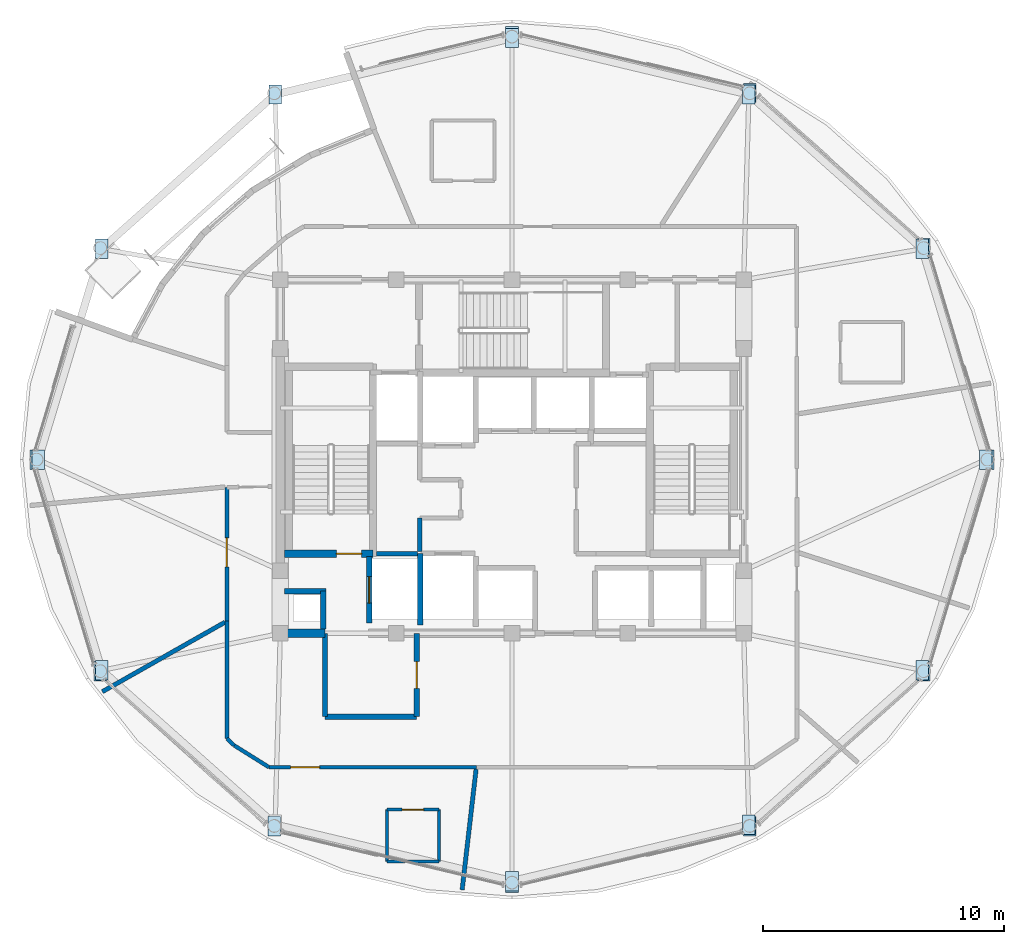
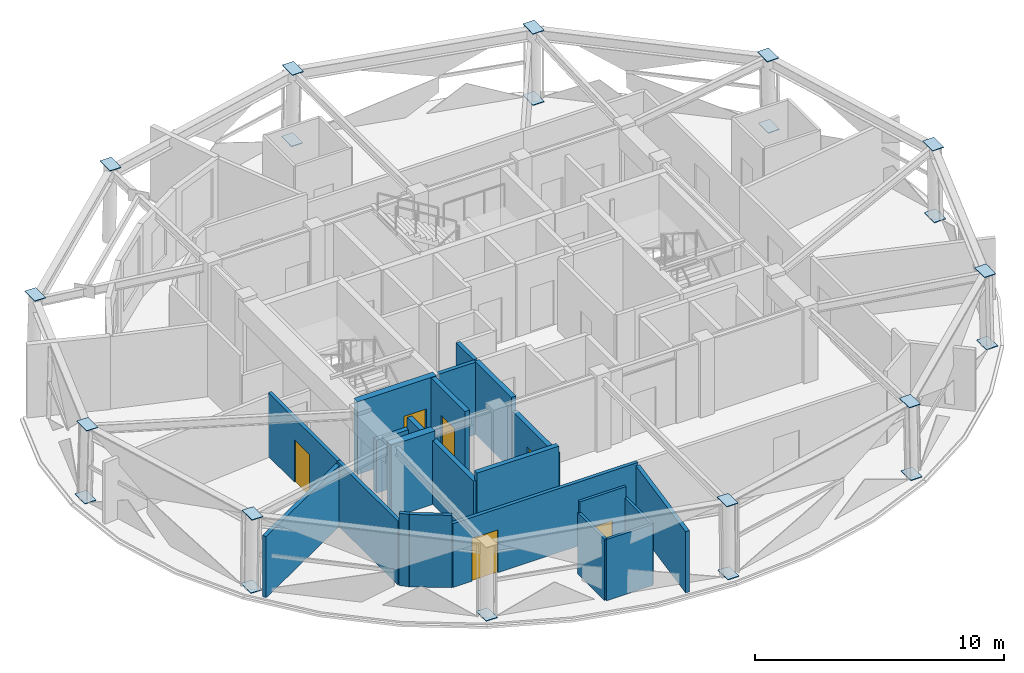
# One storey, part 7 of 14: 22 walls, 21 plates, 6 doors, 6 openings.
"""IFC4 building model written with IfcOpenShell, lengths in metres."""

from ifc_helpers import new_model, si_unit, direction, frame, frame_2d, origin, place, context, subcontext, project, spatial, polyline, rectangle, outline, extrude, material, layer, layer_set, type_object, element, fill, save


model = new_model("IFC4")

# Units and contexts
model_context = context("Model", 3, precision=1e-05, world=origin(), true_north=direction((0.0, 1.0)))
body_context = subcontext(model_context, "Body", "Model", "MODEL_VIEW")
ifc_project = project(units=[si_unit("LENGTHUNIT", "METRE"), si_unit("AREAUNIT", "SQUARE_METRE"), si_unit("VOLUMEUNIT", "CUBIC_METRE"), si_unit("PLANEANGLEUNIT", "RADIAN"), si_unit("MASSUNIT", "GRAM", prefix="KILO")], contexts=[model_context])

# Site, building, storey
site_placement = place(None, origin())
site = spatial("IfcSite", under=ifc_project, at=site_placement, CompositionType="ELEMENT")
building_placement = place(site_placement, origin())
building = spatial("IfcBuilding", under=site, at=building_placement, Name="Vantalir Tower", CompositionType="ELEMENT")
storey_placement = place(building_placement, frame((0.0, 0.0, 271.35009765625)))
storey = spatial("IfcBuildingStorey", under=building, at=storey_placement, Name="L68", CompositionType="ELEMENT", Elevation=271.35009765625)

# Plates
ifc_material_1 = material(Name="Steel S460", Category="steel")
ifc_layer_1 = layer(ifc_material_1, 0.031982421875)
ifc_layer_set_1 = layer_set([ifc_layer_1], Name="Steel S460")
plate_type = type_object("IfcPlateType", Name="PLT-KN-Z3", PredefinedType="USERDEFINED", material=ifc_layer_set_1)
for number, where, z_axis, x_axis, name in (
    (1, (50.86962890625, 25.39990234375, 3.588134765625), (-0.022070714593, 0.0, 0.999756412111), (0.0, -1.0, 0.0), "L68 Ring Column Top Cap RC01"),
    (2, (50.948974609375, 25.39990234375, 0.047119140625), (-0.022070714593, 0.0, 0.999756412111), (0.0, -1.0, 0.0), "L68 Ring Column Base Cap RC01"),
):
    element("IfcPlate", number, at=place(storey_placement, frame(where, z_axis=z_axis, x_axis=x_axis)), inside=storey, type_object=plate_type, Name=name, ObjectType="FLANGE_PLATE", PredefinedType="USERDEFINED", context=body_context, shape_type="SweptSolid", body=[
        extrude(outline(polyline([(0.0, 0.0), (0.7998046875, 0.0), (0.7998046875, 0.5199020324635019), (0.0, 0.5199020324635019), (0.0, 0.0)])), origin(), (0.0, 0.0, -1.0), 0.031982421875),
    ])
plate_1_placement = place(storey_placement, frame((48.239501953125, 34.1337890625, 3.5927734375), z_axis=(-0.019244344102, -0.009762755152, 0.999767144805), x_axis=(0.0, -0.999952325514, -0.009764563447)))
element("IfcPlate", 3, at=plate_1_placement, inside=storey, type_object=plate_type, Name="L68 Ring Column Top Cap RC02", ObjectType="FLANGE_PLATE", PredefinedType="USERDEFINED", context=body_context, shape_type="SweptSolid", body=[
    extrude(outline(polyline([(0.0, 0.0), (0.8000869718602072, -2.710505431213761e-20), (0.7999892308686704, 0.520115851263962), (-9.774099153682507e-05, 0.5201158512639619), (0.0, 0.0)])), origin(), (0.0, 0.0, -1.0), 0.031982421875),
])
plate_2_placement = place(storey_placement, frame((48.30810546875, 34.16845703125, 0.0517578125), z_axis=(-0.019255671921, -0.009764242695, 0.999766912167), x_axis=(-2.8695e-08, -0.999952310958, -0.009766053948)))
element("IfcPlate", 4, at=plate_2_placement, inside=storey, type_object=plate_type, Name="L68 Ring Column Base Cap RC02", ObjectType="FLANGE_PLATE", PredefinedType="USERDEFINED", context=body_context, shape_type="SweptSolid", body=[
    extrude(outline(polyline([(0.0, 0.0), (0.7998428428771505, -2.710505431213761e-20), (0.7999892010333833, 0.5198718017836254), (-9.777082593462274e-05, 0.5198717558655055), (0.0, 0.0)])), origin(), (0.0, 0.0, -1.0), 0.031982421875),
])
plate_3_placement = place(storey_placement, frame((41.0546875, 40.527587890625, 3.597900390625), z_axis=(-0.011269256107, -0.017087827576, 0.999790483059), x_axis=(-2.9386e-08, -0.999853973863, -0.017088913054)))
element("IfcPlate", 5, at=plate_3_placement, inside=storey, type_object=plate_type, Name="L68 Ring Column Top Cap RC03", ObjectType="FLANGE_PLATE", PredefinedType="USERDEFINED", context=body_context, shape_type="SweptSolid", body=[
    extrude(outline(polyline([(0.0, 0.0), (0.7999215325946897, 0.0), (0.8000654919374063, 0.5200525781426929), (-0.00010014563137127416, 0.5200525311190801), (0.0, 0.0)])), origin(), (0.0, 0.0, -1.0), 0.031982421875),
])
plate_4_placement = place(storey_placement, frame((41.094482421875, 40.588134765625, 0.056884765625), z_axis=(-0.011269256107, -0.017087827576, 0.999790483059), x_axis=(2.9377e-08, -0.999853973875, -0.017088912392)))
element("IfcPlate", 6, at=plate_4_placement, inside=storey, type_object=plate_type, Name="L68 Ring Column Base Cap RC03", ObjectType="FLANGE_PLATE", PredefinedType="USERDEFINED", context=body_context, shape_type="SweptSolid", body=[
    extrude(outline(polyline([(0.0, 0.0), (0.800165637568779, -2.710505431213761e-20), (0.800065522499516, 0.5200525311249645), (0.00014398990482752288, 0.5200525781342319), (0.0, 0.0)])), origin(), (0.0, 0.0, -1.0), 0.031982421875),
])
plate_5_placement = place(storey_placement, frame((31.239990234375, 42.867431640625, 3.601806640625), z_axis=(0.0, -0.019837365478, 0.999803220104), x_axis=(0.0, -0.999803220104, -0.019837365478)))
element("IfcPlate", 7, at=plate_5_placement, inside=storey, type_object=plate_type, Name="L68 Ring Column Top Cap RC04", ObjectType="FLANGE_PLATE", PredefinedType="USERDEFINED", context=body_context, shape_type="SweptSolid", body=[
    extrude(outline(polyline([(0.0, 0.0), (0.7999621039593994, 0.0), (0.7999621039593994, 0.52001953125), (0.0, 0.52001953125), (0.0, 0.0)])), origin(), (0.0, 0.0, -1.0), 0.031982421875),
])
plate_6_placement = place(storey_placement, frame((31.239990234375, 42.93798828125, 0.060791015625), z_axis=(0.0, -0.019831314345, 0.999803340148), x_axis=(0.0, -0.999803340148, -0.019831314345)))
element("IfcPlate", 8, at=plate_6_placement, inside=storey, type_object=plate_type, Name="L68 Ring Column Base Cap RC04", ObjectType="FLANGE_PLATE", PredefinedType="USERDEFINED", context=body_context, shape_type="SweptSolid", body=[
    extrude(outline(polyline([(0.0, 0.0), (0.8002061965570885, 0.0), (0.8002061965570885, 0.52001953125), (0.0, 0.52001953125), (0.0, 0.0)])), origin(), (0.0, 0.0, -1.0), 0.031982421875),
])
plate_7_placement = place(storey_placement, frame((21.42529296875, 40.527587890625, 3.75732421875), z_axis=(0.010799894215, -0.016477802161, 0.999805903324), x_axis=(-2.7149e-08, -0.999864215968, -0.016478762918)))
element("IfcPlate", 9, at=plate_7_placement, inside=storey, type_object=plate_type, Name="L68 Ring Column Top Cap RC05", ObjectType="FLANGE_PLATE", PredefinedType="USERDEFINED", context=body_context, shape_type="SweptSolid", body=[
    extrude(outline(polyline([(0.0, 0.0), (0.800157443584889, 2.710505431213761e-20), (0.8000058541082874, 0.5200498825687642), (9.251799799978796e-05, 0.5200498391259535), (0.0, 0.0)])), origin(), (0.0, 0.0, -1.0), 0.031982421875),
])
plate_8_placement = place(storey_placement, frame((14.240478515625, 34.1337890625, 3.756591796875), z_axis=(0.018775192429, -0.009457781172, 0.999778996841), x_axis=(0.0, -0.999955258415, -0.009459448584)))
element("IfcPlate", 10, at=plate_8_placement, inside=storey, type_object=plate_type, Name="L68 Ring Column Top Cap RC06", ObjectType="FLANGE_PLATE", PredefinedType="USERDEFINED", context=body_context, shape_type="SweptSolid", body=[
    extrude(outline(polyline([(0.0, 0.0), (0.8000846251789963, -2.710505431213761e-20), (0.8001770026065778, 0.5201112109727315), (9.237742758142513e-05, 0.5201112109727315), (0.0, 0.0)])), origin(), (0.0, 0.0, -1.0), 0.031982421875),
])
for number, where, z_axis, x_axis, name in (
    (11, (11.610595703125, 25.39990234375, 3.599609375), (0.022070714593, 0.0, 0.999756412111), (0.0, -1.0, 0.0), "L68 Ring Column Top Cap RC07"),
    (12, (11.53125, 25.39990234375, 0.05859375), (0.022070714593, 0.0, 0.999756412111), (0.0, -1.0, 0.0), "L68 Ring Column Base Cap RC07"),
):
    element("IfcPlate", number, at=place(storey_placement, frame(where, z_axis=z_axis, x_axis=x_axis)), inside=storey, type_object=plate_type, Name=name, ObjectType="FLANGE_PLATE", PredefinedType="USERDEFINED", context=body_context, shape_type="SweptSolid", body=[
        extrude(outline(polyline([(0.0, 0.0), (0.7998046875, 0.0), (0.7998046875, 0.5199020324635019), (0.0, 0.5199020324635019), (0.0, 0.0)])), origin(), (0.0, 0.0, -1.0), 0.031982421875),
    ])
plate_9_placement = place(storey_placement, frame((14.240478515625, 16.666259765625, 3.594970703125), z_axis=(0.019244285888, 0.010067810795, 0.999764120504), x_axis=(0.0, -0.999949299532, 0.010069675583)))
element("IfcPlate", 13, at=plate_9_placement, inside=storey, type_object=plate_type, Name="L68 Ring Column Top Cap RC08", ObjectType="FLANGE_PLATE", PredefinedType="USERDEFINED", context=body_context, shape_type="SweptSolid", body=[
    extrude(outline(polyline([(0.0, 0.0), (0.80008939303202, 0.0), (0.7999885979395173, 0.5201158506810636), (-0.00010079509250271495, 0.5201158506810636), (0.0, 0.0)])), origin(), (0.0, 0.0, -1.0), 0.031982421875),
])
plate_10_placement = place(storey_placement, frame((14.172119140625, 16.630615234375, 0.053955078125), z_axis=(0.019255685289, 0.010069344796, 0.999763885565), x_axis=(2.9582e-08, -0.999949284063, 0.010071211508)))
element("IfcPlate", 14, at=plate_10_placement, inside=storey, type_object=plate_type, Name="L68 Ring Column Base Cap RC08", ObjectType="FLANGE_PLATE", PredefinedType="USERDEFINED", context=body_context, shape_type="SweptSolid", body=[
    extrude(outline(polyline([(0.0, 0.0), (0.8000893930310757, 5.421010862427522e-20), (0.7999885979404613, 0.5198717552878571), (0.00014333315256504495, 0.519871802626359), (0.0, 0.0)])), origin(), (0.0, 0.0, -1.0), 0.031982421875),
])
plate_11_placement = place(storey_placement, frame((21.385498046875, 10.2119140625, 0.049072265625), z_axis=(0.011269256107, 0.017087827576, 0.999790483059), x_axis=(-2.9386e-08, -0.999853973863, 0.017088913054)))
element("IfcPlate", 15, at=plate_11_placement, inside=storey, type_object=plate_type, Name="L68 Ring Column Base Cap RC09", ObjectType="FLANGE_PLATE", PredefinedType="USERDEFINED", context=body_context, shape_type="SweptSolid", body=[
    extrude(outline(polyline([(0.0, 0.0), (0.7999215325946897, 0.0), (0.8000654919374063, 0.5200525781426929), (-0.00010014563137127416, 0.5200525311190801), (0.0, 0.0)])), origin(), (0.0, 0.0, -1.0), 0.031982421875),
])
plate_12_placement = place(storey_placement, frame((31.239990234375, 7.932373046875, 3.5859375), z_axis=(0.0, 0.019837365478, 0.999803220104), x_axis=(0.0, -0.999803220104, 0.019837365478)))
element("IfcPlate", 16, at=plate_12_placement, inside=storey, type_object=plate_type, Name="L68 Ring Column Top Cap RC10", ObjectType="FLANGE_PLATE", PredefinedType="USERDEFINED", context=body_context, shape_type="SweptSolid", body=[
    extrude(outline(polyline([(0.0, 0.0), (0.7999621039593994, 0.0), (0.7999621039593994, 0.52001953125), (0.0, 0.52001953125), (0.0, 0.0)])), origin(), (0.0, 0.0, -1.0), 0.031982421875),
])
plate_13_placement = place(storey_placement, frame((31.239990234375, 7.862060546875, 0.044921875), z_axis=(0.0, 0.019831314345, 0.999803340148), x_axis=(0.0, -0.999803340148, 0.019831314345)))
element("IfcPlate", 17, at=plate_13_placement, inside=storey, type_object=plate_type, Name="L68 Ring Column Base Cap RC10", ObjectType="FLANGE_PLATE", PredefinedType="USERDEFINED", context=body_context, shape_type="SweptSolid", body=[
    extrude(outline(polyline([(0.0, 0.0), (0.8002061965570885, 0.0), (0.8002061965570885, 0.52001953125), (0.0, 0.52001953125), (0.0, 0.0)])), origin(), (0.0, 0.0, -1.0), 0.031982421875),
])
plate_14_placement = place(storey_placement, frame((41.0546875, 10.272216796875, 3.584228515625), z_axis=(-0.011269256107, 0.017087827576, 0.999790483059), x_axis=(2.9386e-08, -0.999853973863, 0.017088913054)))
element("IfcPlate", 18, at=plate_14_placement, inside=storey, type_object=plate_type, Name="L68 Ring Column Top Cap RC11", ObjectType="FLANGE_PLATE", PredefinedType="USERDEFINED", context=body_context, shape_type="SweptSolid", body=[
    extrude(outline(polyline([(0.0, 0.0), (0.7999215325946897, 0.0), (0.800021678226061, 0.5200525311190801), (-0.00014395934271649408, 0.5200525781426929), (0.0, 0.0)])), origin(), (0.0, 0.0, -1.0), 0.031982421875),
])
plate_15_placement = place(storey_placement, frame((41.094482421875, 10.2119140625, 0.043212890625), z_axis=(-0.011269256107, 0.017087827576, 0.999790483059), x_axis=(-2.9377e-08, -0.999853973875, 0.017088912392)))
element("IfcPlate", 19, at=plate_15_placement, inside=storey, type_object=plate_type, Name="L68 Ring Column Base Cap RC11", ObjectType="FLANGE_PLATE", PredefinedType="USERDEFINED", context=body_context, shape_type="SweptSolid", body=[
    extrude(outline(polyline([(0.0, 0.0), (0.800165637568779, 2.710505431213761e-20), (0.8000216476639513, 0.5200525781342319), (0.00010011506926300839, 0.5200525311249645), (0.0, 0.0)])), origin(), (0.0, 0.0, -1.0), 0.031982421875),
])
plate_16_placement = place(storey_placement, frame((48.239501953125, 16.666259765625, 3.5849609375), z_axis=(-0.019244285888, 0.010067810795, 0.999764120504), x_axis=(0.0, -0.999949299532, 0.010069675583)))
element("IfcPlate", 20, at=plate_16_placement, inside=storey, type_object=plate_type, Name="L68 Ring Column Top Cap RC12", ObjectType="FLANGE_PLATE", PredefinedType="USERDEFINED", context=body_context, shape_type="SweptSolid", body=[
    extrude(outline(polyline([(0.0, 0.0), (0.80008939303202, 0.0), (0.8001901881245227, 0.5201158506810636), (0.00010079509250271495, 0.5201158506810636), (0.0, 0.0)])), origin(), (0.0, 0.0, -1.0), 0.031982421875),
])
plate_17_placement = place(storey_placement, frame((48.30810546875, 16.63037109375, 0.0439453125), z_axis=(-0.019255685289, 0.010069344796, 0.999763885565), x_axis=(2.9591e-08, -0.999949284052, 0.010071212648)))
element("IfcPlate", 21, at=plate_17_placement, inside=storey, type_object=plate_type, Name="L68 Ring Column Base Cap RC12", ObjectType="FLANGE_PLATE", PredefinedType="USERDEFINED", context=body_context, shape_type="SweptSolid", body=[
    extrude(outline(polyline([(0.0, 0.0), (0.7998452647878977, 0.0), (0.799946090646901, 0.5198717552818908), (-0.00014330238417342516, 0.5198718026348413), (0.0, 0.0)])), origin(), (0.0, 0.0, -1.0), 0.031982421875),
])

# Wall
ifc_material_2 = material(Name="Moisture-resistant en-suite partition", Category="gypsum")
ifc_layer_2 = layer(ifc_material_2, 0.125)
ifc_layer_set_2 = layer_set([ifc_layer_2], Name="Moisture-resistant en-suite partition")
wall_type_1 = type_object("IfcWallType", Name="WL-BATH-125", PredefinedType="PARTITIONING", material=ifc_layer_set_2)
wall_1_placement = place(storey_placement, frame((26.318115234375, 8.347900390625, 0.0), z_axis=(0.0, 0.0, 1.0), x_axis=(1.0, 0.0, 0.0)))
element("IfcWall", 22, at=wall_1_placement, inside=storey, type_object=wall_type_1, Name="L68 En-suite 06 South Wall", PredefinedType="PARTITIONING", context=body_context, shape_type="SweptSolid", body=[
    extrude(rectangle(XDim=2.14990234375, YDim=0.125, at=frame_2d((1.074951171875, 0.0))), origin(), (0.0, 0.0, 1.0), 3.0029296875),
])

# Wall, opening, door
wall_2_placement = place(storey_placement, frame((26.318115234375, 10.498046875, 0.0), z_axis=(0.0, 0.0, 1.0), x_axis=(1.0, 0.0, 0.0)))
wall_2 = element("IfcWall", 23, at=wall_2_placement, inside=storey, type_object=wall_type_1, Name="L68 En-suite 06 North Wall", PredefinedType="PARTITIONING", context=body_context, shape_type="SweptSolid", body=[
    extrude(rectangle(XDim=2.14990234375, YDim=0.125, at=frame_2d((1.074951171875, 0.0))), origin(), (0.0, 0.0, 1.0), 3.5498046875),
])
opening_1_placement = place(wall_2_placement, frame((0.625, 0.0, 0.0)))
opening_1 = element("IfcOpeningElement", 24, at=opening_1_placement, cuts=wall_2, Name="Opening D-WC", PredefinedType="OPENING", context=body_context, shape_type="SweptSolid", body=[
    extrude(rectangle(XDim=0.89990234375, YDim=2.10009765625, at=frame_2d((0.449951171875, 1.050048828125))), frame((0.0, 0.072509765625, 0.0), z_axis=(0.0, -1.0, 0.0), x_axis=(1.0, 0.0, 0.0)), (0.0, 0.0, 1.0), 0.14501953125),
])
ifc_material_3 = material(Name="Moisture-resistant hardwood door", Category="wood")
door_type_1 = type_object("IfcDoorType", Name="DR-ENSUITE-900", OperationType="NOTDEFINED", PredefinedType="DOOR", material=ifc_material_3)
door_1_placement = place(opening_1_placement, frame((0.89990234375, 0.0, 0.0), z_axis=(0.0, 0.0, 1.0), x_axis=(-1.0, 0.0, 0.0)))
door_1 = element("IfcDoor", 25, at=door_1_placement, inside=storey, type_object=door_type_1, Name="L68 En-suite 06 Door", OperationType="SINGLE_SWING_LEFT", OverallHeight=2.10009765625, OverallWidth=0.89990234375, PredefinedType="DOOR", context=body_context, shape_type="SweptSolid", body=[
    extrude(rectangle(XDim=0.89990234375, YDim=2.10009765625, at=frame_2d((0.449951171875, 1.050048828125))), frame((0.0, 0.02490234375, 0.0), z_axis=(0.0, -1.0, 0.0), x_axis=(1.0, 0.0, 0.0)), (0.0, 0.0, 1.0), 0.050048828125),
])
fill(opening_1, door_1)

# Walls
for number, where, z_axis, x_axis, name in (
    (26, (26.318115234375, 8.347900390625, 0.0), (0.0, 0.0, 1.0), (0.0, 1.0, 0.0), "L68 En-suite 06 West Wall"),
    (27, (28.468017578125, 8.347900390625, 0.0), (0.0, 0.0, 1.0), (0.0, 1.0, 0.0), "L68 En-suite 06 East Wall"),
):
    element("IfcWall", number, at=place(storey_placement, frame(where, z_axis=z_axis, x_axis=x_axis)), inside=storey, type_object=wall_type_1, Name=name, PredefinedType="PARTITIONING", context=body_context, shape_type="SweptSolid", body=[
        extrude(rectangle(XDim=2.150146484375, YDim=0.125, at=frame_2d((1.0751953125, 0.0))), origin(), (0.0, 0.0, 1.0), 3.0029296875),
    ])
ifc_material_4 = material(Name="Concrete C50/60", Category="concrete")
ifc_layer_3 = layer(ifc_material_4, 0.35009765625)
ifc_layer_set_3 = layer_set([ifc_layer_3], Name="Concrete C50/60")
wall_type_2 = type_object("IfcWallType", Name="WL-CORE-350", PredefinedType="SHEAR", material=ifc_layer_set_3)
wall_3_placement = place(storey_placement, frame((21.72509765625, 17.800048828125, 0.0), z_axis=(0.0, 0.0, 1.0), x_axis=(1.0, 0.0, 0.0)))
element("IfcWall", 28, at=wall_3_placement, inside=storey, type_object=wall_type_2, Name="L68 Core Shear Wall South-West", PredefinedType="SHEAR", context=body_context, shape_type="SweptSolid", body=[
    extrude(rectangle(XDim=2.02490234375, YDim=0.35009765625, at=frame_2d((1.012451171875, 0.0))), origin(), (0.0, 0.0, 1.0), 3.56982421875),
])

# Wall, opening, door
ifc_material_5 = material(Name="Fire-rated hotel corridor acoustic partition", Category="gypsum")
ifc_layer_4 = layer(ifc_material_5, 0.159912109375)
ifc_layer_set_4 = layer_set([ifc_layer_4], Name="Fire-rated hotel corridor acoustic partition")
wall_type_3 = type_object("IfcWallType", Name="WL-CORR-160", PredefinedType="PARTITIONING", material=ifc_layer_set_4)
wall_4_placement = place(storey_placement, frame((30.02294921875, 12.25390625, 0.0), z_axis=(0.0, 0.0, 1.0), x_axis=(-0.9999999673, 0.000255732666, 0.0)))
wall_4 = element("IfcWall", 29, at=wall_4_placement, inside=storey, type_object=wall_type_3, Name="L68 Corridor Partition 16", PredefinedType="PARTITIONING", context=body_context, shape_type="SweptSolid", body=[
    extrude(rectangle(XDim=8.592041015625, YDim=0.159912109375, at=frame_2d((4.2958984375, 0.0))), origin(), (0.0, 0.0, 1.0), 3.1318359375),
])
opening_2_placement = place(wall_4_placement, frame((6.4951171875, 0.0, 0.0)))
opening_2 = element("IfcOpeningElement", 30, at=opening_2_placement, cuts=wall_4, Name="Opening D-STE", PredefinedType="OPENING", context=body_context, shape_type="SweptSolid", body=[
    extrude(rectangle(XDim=1.199951171875, YDim=2.10009765625, at=frame_2d((0.60009765625, 1.050048828125))), frame((0.0, 0.08984375, 0.0), z_axis=(0.0, -1.0, 0.0), x_axis=(1.0, 0.0, 0.0)), (0.0, 0.0, 1.0), 0.179931640625),
])
ifc_material_6 = material(Name="Solid-core teak veneer suite entrance door", Category="wood")
door_type_2 = type_object("IfcDoorType", Name="DR-SUITE-ENTRY-1200", OperationType="NOTDEFINED", PredefinedType="DOOR", material=ifc_material_6)
door_2_placement = place(opening_2_placement, origin())
door_2 = element("IfcDoor", 31, at=door_2_placement, inside=storey, type_object=door_type_2, Name="L68 Executive Club Hotel Suite 06 Door", OperationType="SINGLE_SWING_LEFT", OverallHeight=2.10009765625, OverallWidth=1.199951171875, PredefinedType="DOOR", context=body_context, shape_type="SweptSolid", body=[
    extrude(rectangle(XDim=1.199951171875, YDim=2.10009765625, at=frame_2d((0.60009765625, 1.050048828125))), frame((0.0, 0.02490234375, 0.0), z_axis=(0.0, -1.0, 0.0), x_axis=(1.0, 0.0, 0.0)), (0.0, 0.0, 1.0), 0.050048828125),
])
fill(opening_2, door_2)

# Walls
wall_5_placement = place(storey_placement, frame((21.430908203125, 12.256103515625, 0.0), z_axis=(0.0, 0.0, 1.0), x_axis=(-0.847852805617, 0.530231666356, 0.0)))
element("IfcWall", 32, at=wall_5_placement, inside=storey, type_object=wall_type_3, Name="L68 Corridor Partition 17", PredefinedType="PARTITIONING", context=body_context, shape_type="SweptSolid", body=[
    extrude(rectangle(XDim=1.697265625, YDim=0.159912109375, at=frame_2d((0.8486328125, 0.0))), origin(), (0.0, 0.0, 1.0), 3.5498046875),
])
wall_6_placement = place(storey_placement, frame((19.991943359375, 13.156005859375, 0.0), z_axis=(0.0, 0.0, 1.0), x_axis=(-0.732939311041, 0.680294029322, 0.0)))
element("IfcWall", 33, at=wall_6_placement, inside=storey, type_object=wall_type_3, Name="L68 Corridor Partition 18", PredefinedType="PARTITIONING", context=body_context, shape_type="SweptSolid", body=[
    extrude(rectangle(XDim=0.41748046875, YDim=0.159912109375, at=frame_2d((0.208740234375, 0.0))), origin(), (0.0, 0.0, 1.0), 3.5498046875),
])
wall_7_placement = place(storey_placement, frame((19.68603515625, 13.43994140625, 0.0), z_axis=(0.0, 0.0, 1.0), x_axis=(-0.000200652115, 0.999999979869, 0.0)))
element("IfcWall", 34, at=wall_7_placement, inside=storey, type_object=wall_type_3, Name="L68 Corridor Partition 19", PredefinedType="PARTITIONING", context=body_context, shape_type="SweptSolid", body=[
    extrude(rectangle(XDim=4.866943359375, YDim=0.159912109375, at=frame_2d((2.43359375, 0.0))), origin(), (0.0, 0.0, 1.0), 3.1318359375),
])

# Wall, opening, door
wall_8_placement = place(storey_placement, frame((19.68505859375, 18.306884765625, 0.0), z_axis=(0.0, 0.0, 1.0), x_axis=(0.0, 1.0, 0.0)))
wall_8 = element("IfcWall", 35, at=wall_8_placement, inside=storey, type_object=wall_type_3, Name="L68 Corridor Partition 20", PredefinedType="PARTITIONING", context=body_context, shape_type="SweptSolid", body=[
    extrude(rectangle(XDim=5.543212890625, YDim=0.159912109375, at=frame_2d((2.771484375, 0.0))), origin(), (0.0, 0.0, 1.0), 3.1318359375),
])
opening_3_placement = place(wall_8_placement, frame((2.24609375, 0.0, 0.0)))
opening_3 = element("IfcOpeningElement", 36, at=opening_3_placement, cuts=wall_8, Name="Opening D-STE", PredefinedType="OPENING", context=body_context, shape_type="SweptSolid", body=[
    extrude(rectangle(XDim=1.199951171875, YDim=2.10009765625, at=frame_2d((0.60009765625, 1.050048828125))), frame((0.0, 0.08984375, 0.0), z_axis=(0.0, -1.0, 0.0), x_axis=(1.0, 0.0, 0.0)), (0.0, 0.0, 1.0), 0.179931640625),
])
door_3_placement = place(opening_3_placement, origin())
door_3 = element("IfcDoor", 37, at=door_3_placement, inside=storey, type_object=door_type_2, Name="L68 Executive Sky Boardroom 05 Door", OperationType="SINGLE_SWING_RIGHT", OverallHeight=2.10009765625, OverallWidth=1.199951171875, PredefinedType="DOOR", context=body_context, shape_type="SweptSolid", body=[
    extrude(rectangle(XDim=1.199951171875, YDim=2.10009765625, at=frame_2d((0.60009765625, 1.050048828125))), frame((0.0, 0.02490234375, 0.0), z_axis=(0.0, -1.0, 0.0), x_axis=(1.0, 0.0, 0.0)), (0.0, 0.0, 1.0), 0.050048828125),
])
fill(opening_3, door_3)

# Walls
ifc_material_7 = material(Name="Concrete blockwork with fireboard lining", Category="masonry")
ifc_layer_5 = layer(ifc_material_7, 0.219970703125)
ifc_layer_set_5 = layer_set([ifc_layer_5], Name="Concrete blockwork with fireboard lining")
wall_type_4 = type_object("IfcWallType", Name="WL-FFL-220", PredefinedType="PARTITIONING", material=ifc_layer_set_5)
wall_9_placement = place(storey_placement, frame((23.679931640625, 17.97509765625, 0.0), z_axis=(0.0, 0.0, 1.0), x_axis=(0.0, 1.0, 0.0)))
element("IfcWall", 38, at=wall_9_placement, inside=storey, type_object=wall_type_4, Name="L68 West MEP Riser Wall E", PredefinedType="PARTITIONING", context=body_context, shape_type="SweptSolid", body=[
    extrude(rectangle(XDim=1.574951171875, YDim=0.219970703125, at=frame_2d((0.78759765625, 0.0))), origin(), (0.0, 0.0, 1.0), 3.1318359375),
])
wall_10_placement = place(storey_placement, frame((22.074951171875, 19.550048828125, 0.0), z_axis=(0.0, 0.0, 1.0), x_axis=(1.0, 0.0, 0.0)))
element("IfcWall", 39, at=wall_10_placement, inside=storey, type_object=wall_type_4, Name="L68 West MEP Riser Wall N", PredefinedType="PARTITIONING", context=body_context, shape_type="SweptSolid", body=[
    extrude(rectangle(XDim=1.715087890625, YDim=0.219970703125, at=frame_2d((0.857421875, 0.0))), origin(), (0.0, 0.0, 1.0), 2.594970703125),
])

# Wall, opening, door
wall_11_placement = place(storey_placement, frame((25.590087890625, 18.219970703125, 0.0), z_axis=(0.0, 0.0, 1.0), x_axis=(0.0, 1.0, 0.0)))
wall_11 = element("IfcWall", 40, at=wall_11_placement, inside=storey, type_object=wall_type_4, Name="L68 Lift FL1 Shaft Front Wall", PredefinedType="PARTITIONING", context=body_context, shape_type="SweptSolid", body=[
    extrude(rectangle(XDim=2.760009765625, YDim=0.219970703125, at=frame_2d((1.3798828125, 0.0))), origin(), (0.0, 0.0, 1.0), 3.5498046875),
])
opening_4_placement = place(wall_11_placement, frame((0.830078125, 0.0, 0.0)))
opening_4 = element("IfcOpeningElement", 41, at=opening_4_placement, cuts=wall_11, Name="Opening LD-FL1", PredefinedType="OPENING", context=body_context, shape_type="SweptSolid", body=[
    extrude(rectangle(XDim=1.10009765625, YDim=2.199951171875, at=frame_2d((0.550048828125, 1.10009765625))), frame((0.0, 0.119873046875, 0.0), z_axis=(0.0, -1.0, 0.0), x_axis=(1.0, 0.0, 0.0)), (0.0, 0.0, 1.0), 0.239990234375),
])
ifc_material_8 = material(Name="Brushed stainless-steel sliding lift landing door", Category="steel")
door_type_3 = type_object("IfcDoorType", Name="DR-LIFT-LANDING-1100", OperationType="DOUBLE_DOOR_SLIDING", PredefinedType="DOOR", material=ifc_material_8)
door_4_placement = place(opening_4_placement, origin())
door_4 = element("IfcDoor", 42, at=door_4_placement, inside=storey, type_object=door_type_3, Name="L68 Lift Landing Door FL1", OperationType="DOUBLE_DOOR_SLIDING", OverallHeight=2.199951171875, OverallWidth=1.10009765625, PredefinedType="DOOR", context=body_context, shape_type="SweptSolid", body=[
    extrude(rectangle(XDim=1.10009765625, YDim=2.199951171875, at=frame_2d((0.550048828125, 1.10009765625))), frame((0.0, 0.02490234375, 0.0), z_axis=(0.0, -1.0, 0.0), x_axis=(1.0, 0.0, 0.0)), (0.0, 0.0, 1.0), 0.050048828125),
])
fill(opening_4, door_4)

# Walls
wall_12_placement = place(storey_placement, frame((27.699951171875, 18.14990234375, 0.0), z_axis=(0.0, 0.0, 1.0), x_axis=(0.0, 1.0, 0.0)))
element("IfcWall", 43, at=wall_12_placement, inside=storey, type_object=wall_type_4, Name="L68 Fire Lift FL1 Dividing Wall", PredefinedType="PARTITIONING", context=body_context, shape_type="SweptSolid", body=[
    extrude(rectangle(XDim=2.9501953125, YDim=0.219970703125, at=frame_2d((1.47509765625, 0.0))), origin(), (0.0, 0.0, 1.0), 3.5498046875),
])
wall_13_placement = place(storey_placement, frame((23.75, 14.35009765625, 0.0), z_axis=(0.0, 0.0, 1.0), x_axis=(0.0, 1.0, 0.0)))
element("IfcWall", 44, at=wall_13_placement, inside=storey, type_object=wall_type_4, Name="L68 Firefighting Lobby West Outer W", PredefinedType="PARTITIONING", context=body_context, shape_type="SweptSolid", body=[
    extrude(rectangle(XDim=3.449951171875, YDim=0.219970703125, at=frame_2d((1.72509765625, 0.0))), origin(), (0.0, 0.0, 1.0), 3.1318359375),
])
wall_14_placement = place(storey_placement, frame((23.75, 14.35009765625, 0.0), z_axis=(0.0, 0.0, 1.0), x_axis=(1.0, 0.0, 0.0)))
element("IfcWall", 45, at=wall_14_placement, inside=storey, type_object=wall_type_4, Name="L68 Firefighting Lobby West South Wall", PredefinedType="PARTITIONING", context=body_context, shape_type="SweptSolid", body=[
    extrude(rectangle(XDim=3.800048828125, YDim=0.219970703125, at=frame_2d((1.89990234375, 0.0))), origin(), (0.0, 0.0, 1.0), 3.5498046875),
])

# Wall, opening, door
wall_15_placement = place(storey_placement, frame((27.550048828125, 14.35009765625, 0.0), z_axis=(0.0, 0.0, 1.0), x_axis=(0.0, 1.0, 0.0)))
wall_15 = element("IfcWall", 46, at=wall_15_placement, inside=storey, type_object=wall_type_4, Name="L68 Firefighting Lobby West East Wall", PredefinedType="PARTITIONING", context=body_context, shape_type="SweptSolid", body=[
    extrude(rectangle(XDim=3.449951171875, YDim=0.219970703125, at=frame_2d((1.72509765625, 0.0))), origin(), (0.0, 0.0, 1.0), 3.1318359375),
])
opening_5_placement = place(wall_15_placement, frame((1.175048828125, 0.0, 0.0)))
opening_5 = element("IfcOpeningElement", 47, at=opening_5_placement, cuts=wall_15, Name="Opening D-FFL", PredefinedType="OPENING", context=body_context, shape_type="SweptSolid", body=[
    extrude(rectangle(XDim=1.10009765625, YDim=2.10009765625, at=frame_2d((0.550048828125, 1.050048828125))), frame((0.0, 0.119873046875, 0.0), z_axis=(0.0, -1.0, 0.0), x_axis=(1.0, 0.0, 0.0)), (0.0, 0.0, 1.0), 0.239990234375),
])
ifc_material_9 = material(Name="Fire-rated acoustic steel door", Category="steel")
door_type_4 = type_object("IfcDoorType", Name="DR-FIRE-LOBBY-1100", OperationType="NOTDEFINED", PredefinedType="DOOR", material=ifc_material_9)
door_5_placement = place(opening_5_placement, origin())
door_5 = element("IfcDoor", 48, at=door_5_placement, inside=storey, type_object=door_type_4, Name="L68 Firefighting Lobby West Access Door", OperationType="SINGLE_SWING_LEFT", OverallHeight=2.10009765625, OverallWidth=1.10009765625, PredefinedType="DOOR", context=body_context, shape_type="SweptSolid", body=[
    extrude(rectangle(XDim=1.10009765625, YDim=2.10009765625, at=frame_2d((0.550048828125, 1.050048828125))), frame((0.0, 0.02490234375, 0.0), z_axis=(0.0, -1.0, 0.0), x_axis=(1.0, 0.0, 0.0)), (0.0, 0.0, 1.0), 0.050048828125),
])
fill(opening_5, door_5)

# Walls
ifc_material_10 = material(Name="Twin-stud acoustic fire-rated gypsum partition", Category="gypsum")
ifc_layer_6 = layer(ifc_material_10, 0.179931640625)
ifc_layer_set_6 = layer_set([ifc_layer_6], Name="Twin-stud acoustic fire-rated gypsum partition")
wall_type_5 = type_object("IfcWallType", Name="WL-GUEST-180", PredefinedType="PARTITIONING", material=ifc_layer_set_6)
wall_16_placement = place(storey_placement, frame((25.889892578125, 21.10009765625, 0.0), z_axis=(0.0, 0.0, 1.0), x_axis=(1.0, 0.0, 0.0)))
element("IfcWall", 49, at=wall_16_placement, inside=storey, type_object=wall_type_5, Name="L68 Freed West Core South Wall", PredefinedType="PARTITIONING", context=body_context, shape_type="SweptSolid", body=[
    extrude(rectangle(XDim=1.7001953125, YDim=0.179931640625, at=frame_2d((0.85009765625, 0.0))), origin(), (0.0, 0.0, 1.0), 3.5498046875),
])
wall_17_placement = place(storey_placement, frame((27.679931640625, 21.18994140625, 0.0), z_axis=(0.0, 0.0, 1.0), x_axis=(0.0, 1.0, 0.0)))
element("IfcWall", 50, at=wall_17_placement, inside=storey, type_object=wall_type_5, Name="L68 West IT Room Lower East Wall", PredefinedType="PARTITIONING", context=body_context, shape_type="SweptSolid", body=[
    extrude(rectangle(XDim=1.39013671875, YDim=0.179931640625, at=frame_2d((0.695068359375, 0.0))), origin(), (0.0, 0.0, 1.0), 3.5498046875),
])
wall_18_placement = place(storey_placement, frame((19.610107421875, 18.263916015625, 0.0), z_axis=(0.0, 0.0, 1.0), x_axis=(-0.870089112565, -0.492894447318, 0.0)))
element("IfcWall", 51, at=wall_18_placement, inside=storey, type_object=wall_type_5, Name="L68 Radial Suite Partition 06", PredefinedType="PARTITIONING", context=body_context, shape_type="SweptSolid", body=[
    extrude(rectangle(XDim=5.8408203125, YDim=0.179931640625, at=frame_2d((2.92041015625, 0.0))), origin(), (0.0, 0.0, 1.0), 3.0029296875),
])
wall_19_placement = place(storey_placement, frame((30.012939453125, 12.175048828125, 0.0), z_axis=(0.0, 0.0, 1.0), x_axis=(-0.114959040487, -0.993370232597, 0.0)))
element("IfcWall", 52, at=wall_19_placement, inside=storey, type_object=wall_type_5, Name="L68 Radial Suite Partition 07", PredefinedType="PARTITIONING", context=body_context, shape_type="SweptSolid", body=[
    extrude(rectangle(XDim=5.035400390625, YDim=0.179931640625, at=frame_2d((2.517578125, 0.0))), origin(), (0.0, 0.0, 1.0), 3.0029296875),
])

# Wall, opening, door
ifc_layer_7 = layer(ifc_material_4, 0.300048828125)
ifc_layer_set_7 = layer_set([ifc_layer_7], Name="Concrete C50/60")
wall_type_6 = type_object("IfcWallType", Name="WL-STAIR-300", PredefinedType="SHEAR", material=ifc_layer_set_7)
wall_20_placement = place(storey_placement, frame((22.074951171875, 21.10009765625, 0.0), z_axis=(0.0, 0.0, 1.0), x_axis=(1.0, 0.0, 0.0)))
wall_20 = element("IfcWall", 53, at=wall_20_placement, inside=storey, type_object=wall_type_6, Name="L68 Stair ST1 South Wall", PredefinedType="SHEAR", context=body_context, shape_type="SweptSolid", body=[
    extrude(rectangle(XDim=3.6650390625, YDim=0.300048828125, at=frame_2d((1.83251953125, 0.0))), origin(), (0.0, 0.0, 1.0), 3.56982421875),
])
opening_6_placement = place(wall_20_placement, frame((2.14501953125, 0.0, 0.0)))
opening_6 = element("IfcOpeningElement", 54, at=opening_6_placement, cuts=wall_20, Name="Opening D-ST", PredefinedType="OPENING", context=body_context, shape_type="SweptSolid", body=[
    extrude(rectangle(XDim=1.050048828125, YDim=2.10009765625, at=frame_2d((0.52490234375, 1.050048828125))), frame((0.0, 0.159912109375, 0.0), z_axis=(0.0, -1.0, 0.0), x_axis=(1.0, 0.0, 0.0)), (0.0, 0.0, 1.0), 0.320068359375),
])
ifc_material_11 = material(Name="Fire-rated steel door leaf", Category="steel")
door_type_5 = type_object("IfcDoorType", Name="DR-FIRE-STAIR-1050", OperationType="NOTDEFINED", PredefinedType="DOOR", material=ifc_material_11)
door_6_placement = place(opening_6_placement, origin())
door_6 = element("IfcDoor", 55, at=door_6_placement, inside=storey, type_object=door_type_5, Name="L68 Exit Stair ST1 Fire Door", OperationType="SINGLE_SWING_LEFT", OverallHeight=2.10009765625, OverallWidth=1.050048828125, PredefinedType="DOOR", context=body_context, shape_type="SweptSolid", body=[
    extrude(rectangle(XDim=1.050048828125, YDim=2.10009765625, at=frame_2d((0.52490234375, 1.050048828125))), frame((0.0, 0.02490234375, 0.0), z_axis=(0.0, -1.0, 0.0), x_axis=(1.0, 0.0, 0.0)), (0.0, 0.0, 1.0), 0.050048828125),
])
fill(opening_6, door_6)

save(model, "model.ifc")
